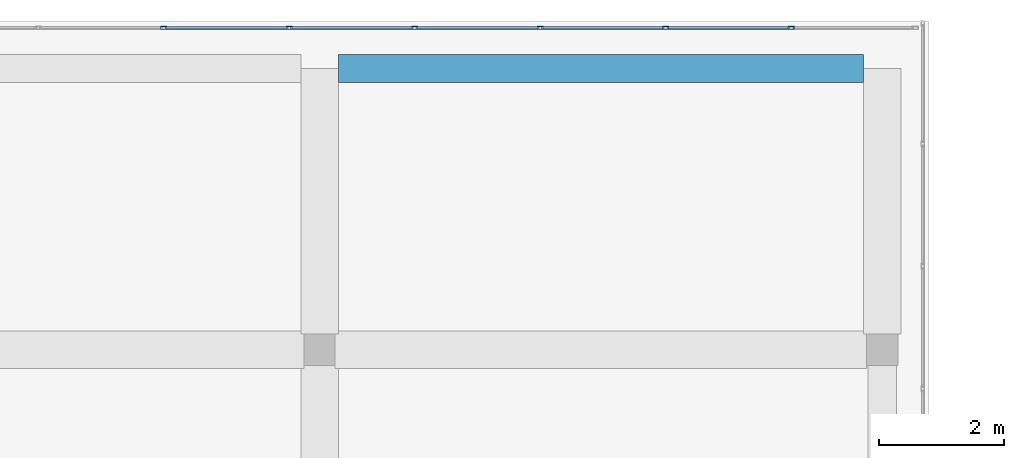
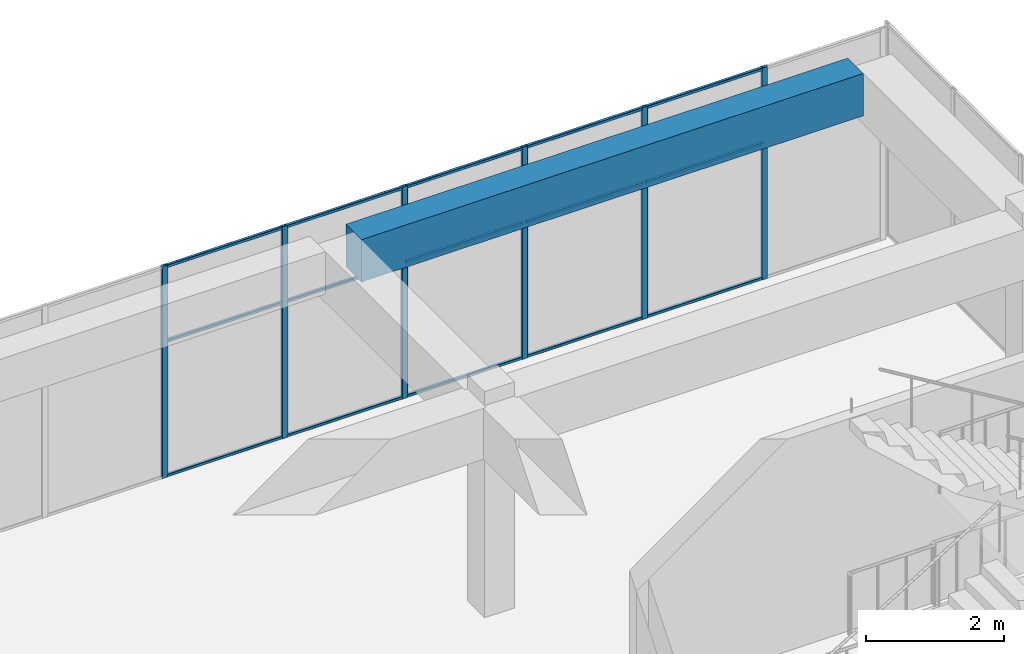
# One storey, part 26 of 34: 21 members, 1 beam, 1 element without a shape of its own.
"""IFC4 building model written with IfcOpenShell, lengths in metres."""

from ifc_helpers import new_model, si_unit, direction, frame, origin, origin_2d, place, context, subcontext, project, spatial, rectangle, hollow_rectangle, extrude, material, layer, layer_set, material_profile, profile_set, type_object, element, aggregate, save


model = new_model("IFC4")

# Units and contexts
model_context = context("Model", 3, precision=1e-05, world=origin(), true_north=direction((0.0, 1.0)))
body_context = subcontext(model_context, "Body", "Model", "MODEL_VIEW")
ifc_project = project(units=[si_unit("LENGTHUNIT", "METRE"), si_unit("AREAUNIT", "SQUARE_METRE"), si_unit("VOLUMEUNIT", "CUBIC_METRE"), si_unit("PLANEANGLEUNIT", "RADIAN"), si_unit("MASSUNIT", "GRAM", prefix="KILO")], contexts=[model_context])

# Site, building, storey
site_placement = place(None, origin())
site = spatial("IfcSite", under=ifc_project, at=site_placement, CompositionType="ELEMENT")
building_placement = place(site_placement, origin())
building = spatial("IfcBuilding", under=site, at=building_placement, Name="Tuart Plaza Theatre", CompositionType="ELEMENT")
storey_placement = place(building_placement, frame((0.0, 0.0, 57.5)))
storey = spatial("IfcBuildingStorey", under=building, at=storey_placement, Name="L14", CompositionType="ELEMENT", Elevation=57.5)

# Beam
ifc_material_1 = material(Name="Concrete N40 (40 MPa)", Category="concrete")
ifc_material_profile_1 = material_profile(ifc_material_1, rectangle(XDim=0.449951171875, YDim=0.75, at=origin_2d()), Name="BEAM 450x750 Concrete N40 (40 MPa)")
ifc_profile_set_1 = profile_set([ifc_material_profile_1], Name="Concrete N40 (40 MPa)")
beam_type = type_object("IfcBeamType", Name="BEAM 450x750 Concrete N40 (40 MPa)", PredefinedType="BEAM", material=ifc_profile_set_1)
beam_placement = place(storey_placement, frame((132.300048828125, 96.5, 3.375), z_axis=(1.0, 0.0, 0.0), x_axis=(0.0, 1.0, 0.0)))
element("IfcBeam", 1, at=beam_placement, inside=storey, type_object=beam_type, Name="RB338", PredefinedType="BEAM", context=body_context, shape_type="SweptSolid", body=[
    extrude(rectangle(XDim=0.449951171875, YDim=0.75, at=origin_2d()), origin(), (0.0, 0.0, 1.0), 8.39990234375),
])

# Curtain wall, members
ifc_material_2 = material(Name="Aluminium and glass", Category="aluminium")
ifc_layer = layer(ifc_material_2, 0.10009765625)
ifc_layer_set = layer_set([ifc_layer], Name="CURTAIN WALL 2000 module")
curtain_wall_type = type_object("IfcCurtainWallType", Name="CURTAIN WALL 2000 module", PredefinedType="NOTDEFINED", material=ifc_layer_set)
curtain_wall_placement = place(storey_placement, origin())
curtain_wall = element("IfcCurtainWall", 2, at=curtain_wall_placement, inside=storey, type_object=curtain_wall_type, Name="CW117", PredefinedType="NOTDEFINED")
ifc_material_3 = material(Name="Aluminium 6063-T5", Category="aluminium")
ifc_material_profile_2 = material_profile(ifc_material_3, hollow_rectangle(XDim=0.050048828125, YDim=0.10009765625, WallThickness=0.00390625, InnerFilletRadius=0.00390625, OuterFilletRadius=0.008056640625, at=origin_2d()), Name="RHS 100x50x4")
ifc_profile_set_2 = profile_set([ifc_material_profile_2], Name="Aluminium 6063-T5")
member_type_1 = type_object("IfcMemberType", Name="MULLION RHS 100x50x4", PredefinedType="MULLION", material=ifc_profile_set_2)
member_1_placement = place(storey_placement, frame((139.54296875, 97.14990234375, 0.0), z_axis=(0.0, 0.0, 1.0), x_axis=(0.0, -1.0, 0.0)))
member_1 = element("IfcMember", 3, at=member_1_placement, type_object=member_type_1, Name="CW117 mullion 2", PredefinedType="MULLION", context=body_context, shape_type="SweptSolid", body=[
    extrude(hollow_rectangle(XDim=0.050048828125, YDim=0.10009765625, WallThickness=0.00390625, InnerFilletRadius=0.00390625, OuterFilletRadius=0.008056640625, at=origin_2d()), origin(), (0.0, 0.0, 1.0), 3.75),
])
member_2_placement = place(storey_placement, frame((137.53564453125, 97.14990234375, 0.0), z_axis=(0.0, 0.0, 1.0), x_axis=(0.0, -1.0, 0.0)))
member_2 = element("IfcMember", 4, at=member_2_placement, type_object=member_type_1, Name="CW117 mullion 3", PredefinedType="MULLION", context=body_context, shape_type="SweptSolid", body=[
    extrude(hollow_rectangle(XDim=0.050048828125, YDim=0.10009765625, WallThickness=0.00390625, InnerFilletRadius=0.00390625, OuterFilletRadius=0.008056640625, at=origin_2d()), origin(), (0.0, 0.0, 1.0), 3.75),
])
member_3_placement = place(storey_placement, frame((135.528564453125, 97.14990234375, 0.0), z_axis=(0.0, 0.0, 1.0), x_axis=(0.0, -1.0, 0.0)))
member_3 = element("IfcMember", 5, at=member_3_placement, type_object=member_type_1, Name="CW117 mullion 4", PredefinedType="MULLION", context=body_context, shape_type="SweptSolid", body=[
    extrude(hollow_rectangle(XDim=0.050048828125, YDim=0.10009765625, WallThickness=0.00390625, InnerFilletRadius=0.00390625, OuterFilletRadius=0.008056640625, at=origin_2d()), origin(), (0.0, 0.0, 1.0), 3.75),
])
member_4_placement = place(storey_placement, frame((133.521484375, 97.14990234375, 0.0), z_axis=(0.0, 0.0, 1.0), x_axis=(0.0, -1.0, 0.0)))
member_4 = element("IfcMember", 6, at=member_4_placement, type_object=member_type_1, Name="CW117 mullion 5", PredefinedType="MULLION", context=body_context, shape_type="SweptSolid", body=[
    extrude(hollow_rectangle(XDim=0.050048828125, YDim=0.10009765625, WallThickness=0.00390625, InnerFilletRadius=0.00390625, OuterFilletRadius=0.008056640625, at=origin_2d()), origin(), (0.0, 0.0, 1.0), 3.75),
])
member_5_placement = place(storey_placement, frame((131.514404296875, 97.14990234375, 0.0), z_axis=(0.0, 0.0, 1.0), x_axis=(0.0, -1.0, 0.0)))
member_5 = element("IfcMember", 7, at=member_5_placement, type_object=member_type_1, Name="CW117 mullion 6", PredefinedType="MULLION", context=body_context, shape_type="SweptSolid", body=[
    extrude(hollow_rectangle(XDim=0.050048828125, YDim=0.10009765625, WallThickness=0.00390625, InnerFilletRadius=0.00390625, OuterFilletRadius=0.008056640625, at=origin_2d()), origin(), (0.0, 0.0, 1.0), 3.75),
])
member_6_placement = place(storey_placement, frame((129.507080078125, 97.14990234375, 0.0), z_axis=(0.0, 0.0, 1.0), x_axis=(0.0, -1.0, 0.0)))
member_6 = element("IfcMember", 8, at=member_6_placement, type_object=member_type_1, Name="CW117 mullion 7", PredefinedType="MULLION", context=body_context, shape_type="SweptSolid", body=[
    extrude(hollow_rectangle(XDim=0.050048828125, YDim=0.10009765625, WallThickness=0.00390625, InnerFilletRadius=0.00390625, OuterFilletRadius=0.008056640625, at=origin_2d()), origin(), (0.0, 0.0, 1.0), 3.75),
])
ifc_material_4 = material(Name="Aluminium 6063-T5", Category="aluminium")
ifc_material_profile_3 = material_profile(ifc_material_4, hollow_rectangle(XDim=0.050048828125, YDim=0.050048828125, WallThickness=0.00390625, InnerFilletRadius=0.00390625, OuterFilletRadius=0.008056640625, at=origin_2d()), Name="RHS 50x50x4")
ifc_profile_set_3 = profile_set([ifc_material_profile_3], Name="Aluminium 6063-T5")
member_type_2 = type_object("IfcMemberType", Name="TRANSOM RHS 50x50x4", PredefinedType="USERDEFINED", material=ifc_profile_set_3)
member_7_placement = place(storey_placement, frame((139.517822265625, 97.14990234375, 0.02490234375), z_axis=(-1.0, 0.0, 0.0), x_axis=(0.0, -1.0, 0.0)))
member_7 = element("IfcMember", 9, at=member_7_placement, type_object=member_type_2, Name="CW117 transom 2.1", ObjectType="TRANSOM", PredefinedType="USERDEFINED", context=body_context, shape_type="SweptSolid", body=[
    extrude(hollow_rectangle(XDim=0.050048828125, YDim=0.050048828125, WallThickness=0.00390625, InnerFilletRadius=0.00390625, OuterFilletRadius=0.008056640625, at=origin_2d()), origin(), (0.0, 0.0, 1.0), 1.95703125),
])
member_8_placement = place(storey_placement, frame((139.517822265625, 97.14990234375, 2.39990234375), z_axis=(-1.0, 0.0, 0.0), x_axis=(0.0, -1.0, 0.0)))
member_8 = element("IfcMember", 10, at=member_8_placement, type_object=member_type_2, Name="CW117 transom 2.2", ObjectType="TRANSOM", PredefinedType="USERDEFINED", context=body_context, shape_type="SweptSolid", body=[
    extrude(hollow_rectangle(XDim=0.050048828125, YDim=0.050048828125, WallThickness=0.00390625, InnerFilletRadius=0.00390625, OuterFilletRadius=0.008056640625, at=origin_2d()), origin(), (0.0, 0.0, 1.0), 1.95703125),
])
member_9_placement = place(storey_placement, frame((139.517822265625, 97.14990234375, 3.72509765625), z_axis=(-1.0, 0.0, 0.0), x_axis=(0.0, -1.0, 0.0)))
member_9 = element("IfcMember", 11, at=member_9_placement, type_object=member_type_2, Name="CW117 transom 2.3", ObjectType="TRANSOM", PredefinedType="USERDEFINED", context=body_context, shape_type="SweptSolid", body=[
    extrude(hollow_rectangle(XDim=0.050048828125, YDim=0.050048828125, WallThickness=0.00390625, InnerFilletRadius=0.00390625, OuterFilletRadius=0.008056640625, at=origin_2d()), origin(), (0.0, 0.0, 1.0), 1.95703125),
])
member_10_placement = place(storey_placement, frame((137.5107421875, 97.14990234375, 0.02490234375), z_axis=(-1.0, 0.0, 0.0), x_axis=(0.0, -1.0, 0.0)))
member_10 = element("IfcMember", 12, at=member_10_placement, type_object=member_type_2, Name="CW117 transom 3.1", ObjectType="TRANSOM", PredefinedType="USERDEFINED", context=body_context, shape_type="SweptSolid", body=[
    extrude(hollow_rectangle(XDim=0.050048828125, YDim=0.050048828125, WallThickness=0.00390625, InnerFilletRadius=0.00390625, OuterFilletRadius=0.008056640625, at=origin_2d()), origin(), (0.0, 0.0, 1.0), 1.957275390625),
])
member_11_placement = place(storey_placement, frame((137.5107421875, 97.14990234375, 2.39990234375), z_axis=(-1.0, 0.0, 0.0), x_axis=(0.0, -1.0, 0.0)))
member_11 = element("IfcMember", 13, at=member_11_placement, type_object=member_type_2, Name="CW117 transom 3.2", ObjectType="TRANSOM", PredefinedType="USERDEFINED", context=body_context, shape_type="SweptSolid", body=[
    extrude(hollow_rectangle(XDim=0.050048828125, YDim=0.050048828125, WallThickness=0.00390625, InnerFilletRadius=0.00390625, OuterFilletRadius=0.008056640625, at=origin_2d()), origin(), (0.0, 0.0, 1.0), 1.957275390625),
])
member_12_placement = place(storey_placement, frame((137.5107421875, 97.14990234375, 3.72509765625), z_axis=(-1.0, 0.0, 0.0), x_axis=(0.0, -1.0, 0.0)))
member_12 = element("IfcMember", 14, at=member_12_placement, type_object=member_type_2, Name="CW117 transom 3.3", ObjectType="TRANSOM", PredefinedType="USERDEFINED", context=body_context, shape_type="SweptSolid", body=[
    extrude(hollow_rectangle(XDim=0.050048828125, YDim=0.050048828125, WallThickness=0.00390625, InnerFilletRadius=0.00390625, OuterFilletRadius=0.008056640625, at=origin_2d()), origin(), (0.0, 0.0, 1.0), 1.957275390625),
])
member_13_placement = place(storey_placement, frame((135.503662109375, 97.14990234375, 0.02490234375), z_axis=(-1.0, 0.0, 0.0), x_axis=(0.0, -1.0, 0.0)))
member_13 = element("IfcMember", 15, at=member_13_placement, type_object=member_type_2, Name="CW117 transom 4.1", ObjectType="TRANSOM", PredefinedType="USERDEFINED", context=body_context, shape_type="SweptSolid", body=[
    extrude(hollow_rectangle(XDim=0.050048828125, YDim=0.050048828125, WallThickness=0.00390625, InnerFilletRadius=0.00390625, OuterFilletRadius=0.008056640625, at=origin_2d()), origin(), (0.0, 0.0, 1.0), 1.957275390625),
])
member_14_placement = place(storey_placement, frame((135.503662109375, 97.14990234375, 2.39990234375), z_axis=(-1.0, 0.0, 0.0), x_axis=(0.0, -1.0, 0.0)))
member_14 = element("IfcMember", 16, at=member_14_placement, type_object=member_type_2, Name="CW117 transom 4.2", ObjectType="TRANSOM", PredefinedType="USERDEFINED", context=body_context, shape_type="SweptSolid", body=[
    extrude(hollow_rectangle(XDim=0.050048828125, YDim=0.050048828125, WallThickness=0.00390625, InnerFilletRadius=0.00390625, OuterFilletRadius=0.008056640625, at=origin_2d()), origin(), (0.0, 0.0, 1.0), 1.957275390625),
])
member_15_placement = place(storey_placement, frame((135.503662109375, 97.14990234375, 3.72509765625), z_axis=(-1.0, 0.0, 0.0), x_axis=(0.0, -1.0, 0.0)))
member_15 = element("IfcMember", 17, at=member_15_placement, type_object=member_type_2, Name="CW117 transom 4.3", ObjectType="TRANSOM", PredefinedType="USERDEFINED", context=body_context, shape_type="SweptSolid", body=[
    extrude(hollow_rectangle(XDim=0.050048828125, YDim=0.050048828125, WallThickness=0.00390625, InnerFilletRadius=0.00390625, OuterFilletRadius=0.008056640625, at=origin_2d()), origin(), (0.0, 0.0, 1.0), 1.957275390625),
])
member_16_placement = place(storey_placement, frame((133.496337890625, 97.14990234375, 0.02490234375), z_axis=(-1.0, 0.0, 0.0), x_axis=(0.0, -1.0, 0.0)))
member_16 = element("IfcMember", 18, at=member_16_placement, type_object=member_type_2, Name="CW117 transom 5.1", ObjectType="TRANSOM", PredefinedType="USERDEFINED", context=body_context, shape_type="SweptSolid", body=[
    extrude(hollow_rectangle(XDim=0.050048828125, YDim=0.050048828125, WallThickness=0.00390625, InnerFilletRadius=0.00390625, OuterFilletRadius=0.008056640625, at=origin_2d()), origin(), (0.0, 0.0, 1.0), 1.95703125),
])
member_17_placement = place(storey_placement, frame((133.496337890625, 97.14990234375, 2.39990234375), z_axis=(-1.0, 0.0, 0.0), x_axis=(0.0, -1.0, 0.0)))
member_17 = element("IfcMember", 19, at=member_17_placement, type_object=member_type_2, Name="CW117 transom 5.2", ObjectType="TRANSOM", PredefinedType="USERDEFINED", context=body_context, shape_type="SweptSolid", body=[
    extrude(hollow_rectangle(XDim=0.050048828125, YDim=0.050048828125, WallThickness=0.00390625, InnerFilletRadius=0.00390625, OuterFilletRadius=0.008056640625, at=origin_2d()), origin(), (0.0, 0.0, 1.0), 1.95703125),
])
member_18_placement = place(storey_placement, frame((133.496337890625, 97.14990234375, 3.72509765625), z_axis=(-1.0, 0.0, 0.0), x_axis=(0.0, -1.0, 0.0)))
member_18 = element("IfcMember", 20, at=member_18_placement, type_object=member_type_2, Name="CW117 transom 5.3", ObjectType="TRANSOM", PredefinedType="USERDEFINED", context=body_context, shape_type="SweptSolid", body=[
    extrude(hollow_rectangle(XDim=0.050048828125, YDim=0.050048828125, WallThickness=0.00390625, InnerFilletRadius=0.00390625, OuterFilletRadius=0.008056640625, at=origin_2d()), origin(), (0.0, 0.0, 1.0), 1.95703125),
])
member_19_placement = place(storey_placement, frame((131.4892578125, 97.14990234375, 0.02490234375), z_axis=(-1.0, 0.0, 0.0), x_axis=(0.0, -1.0, 0.0)))
member_19 = element("IfcMember", 21, at=member_19_placement, type_object=member_type_2, Name="CW117 transom 6.1", ObjectType="TRANSOM", PredefinedType="USERDEFINED", context=body_context, shape_type="SweptSolid", body=[
    extrude(hollow_rectangle(XDim=0.050048828125, YDim=0.050048828125, WallThickness=0.00390625, InnerFilletRadius=0.00390625, OuterFilletRadius=0.008056640625, at=origin_2d()), origin(), (0.0, 0.0, 1.0), 1.95703125),
])
member_20_placement = place(storey_placement, frame((131.4892578125, 97.14990234375, 2.39990234375), z_axis=(-1.0, 0.0, 0.0), x_axis=(0.0, -1.0, 0.0)))
member_20 = element("IfcMember", 22, at=member_20_placement, type_object=member_type_2, Name="CW117 transom 6.2", ObjectType="TRANSOM", PredefinedType="USERDEFINED", context=body_context, shape_type="SweptSolid", body=[
    extrude(hollow_rectangle(XDim=0.050048828125, YDim=0.050048828125, WallThickness=0.00390625, InnerFilletRadius=0.00390625, OuterFilletRadius=0.008056640625, at=origin_2d()), origin(), (0.0, 0.0, 1.0), 1.95703125),
])
member_21_placement = place(storey_placement, frame((131.4892578125, 97.14990234375, 3.72509765625), z_axis=(-1.0, 0.0, 0.0), x_axis=(0.0, -1.0, 0.0)))
member_21 = element("IfcMember", 23, at=member_21_placement, type_object=member_type_2, Name="CW117 transom 6.3", ObjectType="TRANSOM", PredefinedType="USERDEFINED", context=body_context, shape_type="SweptSolid", body=[
    extrude(hollow_rectangle(XDim=0.050048828125, YDim=0.050048828125, WallThickness=0.00390625, InnerFilletRadius=0.00390625, OuterFilletRadius=0.008056640625, at=origin_2d()), origin(), (0.0, 0.0, 1.0), 1.95703125),
])
aggregate(curtain_wall, [member_1, member_2, member_3, member_4, member_5, member_6, member_7, member_8, member_9, member_10, member_11, member_12, member_13, member_14, member_15, member_16, member_17, member_18, member_19, member_20, member_21])

save(model, "model.ifc")
